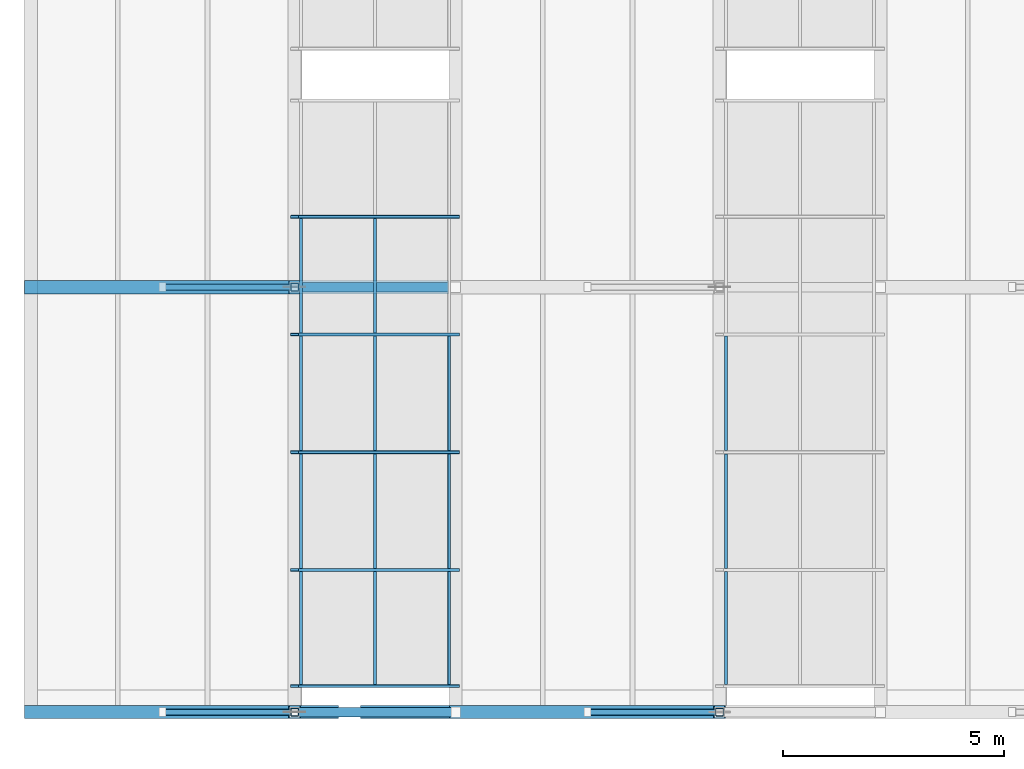
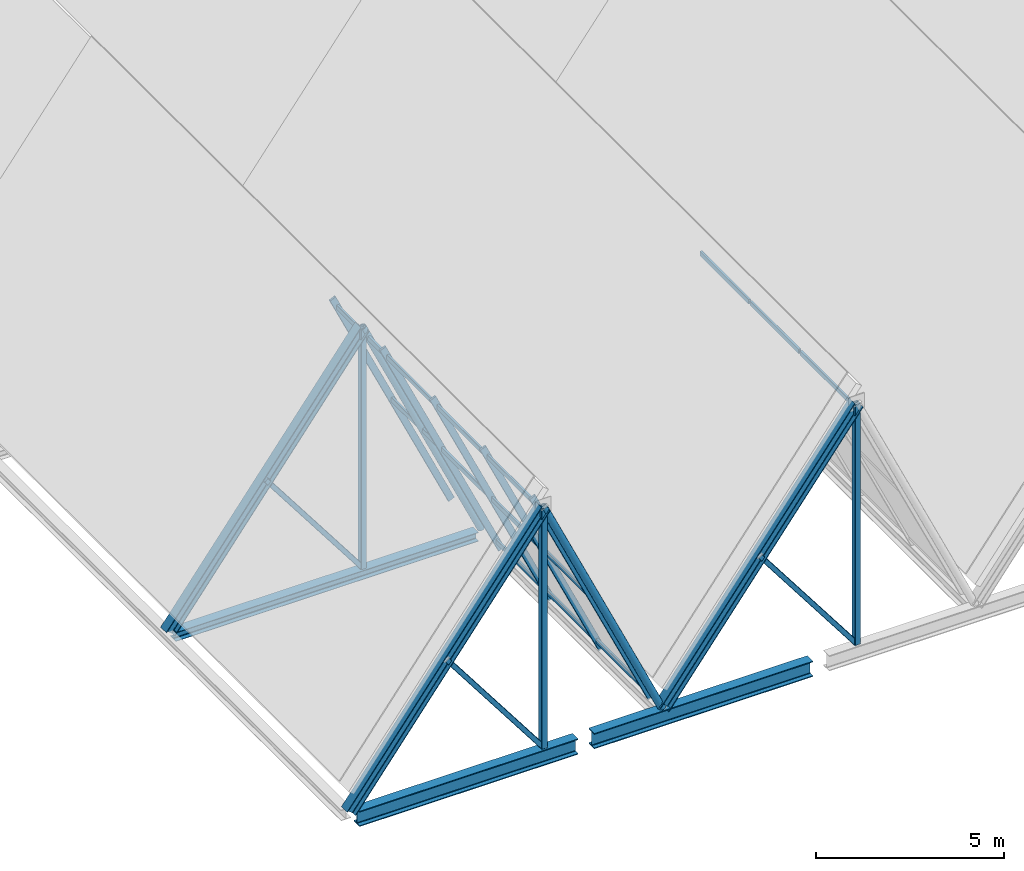
# One storey, part 6 of 99: 31 members, 2 beams, 2 elements without a shape of their own.
"""IFC4 building model written with IfcOpenShell, lengths in metres."""

import ifcopenshell
import ifcopenshell.guid

model = None  # the IFC model being written
_history = None  # IfcOwnerHistory: only IFC2X3 demands one
_inside = {}  # id of a spatial element -> (the spatial element, [elements in it])
_under = {}  # id of a project, library or spatial element -> (it, [spatial elements below it])
_declared = {}  # id of a project -> (the project, [libraries it declares])
_typed = {}  # id of a type object -> (the type object, [elements of that type])
_made_of = {}  # id of a material, layer set ... -> (it, [elements and type objects made of it])


def new_model(schema):
    """Start an empty IFC model of exactly this schema.

    Asked for "IFC4X3", IfcOpenShell would pick the latest addendum, in which some entities
    have other attributes; the version numbers below select the first issue.
    IFC2X3 requires an IfcOwnerHistory on every rooted entity: one is made here for all.
    """
    global model, _history
    if schema == "IFC4X3":
        model = ifcopenshell.file(schema_version=(4, 3, 0, 0))
    else:
        model = ifcopenshell.file(schema=schema)
    _inside.clear()
    _under.clear()
    _declared.clear()
    _typed.clear()
    _made_of.clear()
    _history = None
    if model.schema == "IFC2X3":
        org = make("IfcOrganization", Name="unknown")
        user = make(
            "IfcPersonAndOrganization",
            ThePerson=make("IfcPerson", FamilyName="unknown"),
            TheOrganization=org,
        )
        app = make(
            "IfcApplication",
            ApplicationDeveloper=org,
            Version="unknown",
            ApplicationFullName="unknown",
            ApplicationIdentifier="unknown",
        )
        _history = make(
            "IfcOwnerHistory",
            OwningUser=user,
            OwningApplication=app,
            ChangeAction="ADDED",
            CreationDate=0,
        )
    return model


def make(cls, **values):
    """One entity of the class cls with the attributes given. An attribute that is None is left unset."""
    return model.create_entity(
        cls, **{name: value for name, value in values.items() if value is not None}
    )


def rooted(cls, **values):
    """An entity with a GlobalId (a new one), such as an element, a storey or a relation."""
    return make(cls, GlobalId=ifcopenshell.guid.new(), OwnerHistory=_history, **values)


def si_unit(unit_type, name, prefix=None):
    """IfcSIUnit, for example si_unit("LENGTHUNIT", "METRE", prefix="MILLI")."""
    return make("IfcSIUnit", UnitType=unit_type, Prefix=prefix, Name=name)


def assignment(units):
    """IfcUnitAssignment: the units of a project."""
    return None if units is None else make("IfcUnitAssignment", Units=units)


def point(xyz):
    """IfcCartesianPoint."""
    return None if xyz is None else make("IfcCartesianPoint", Coordinates=xyz)


def direction(xyz):
    """IfcDirection."""
    return None if xyz is None else make("IfcDirection", DirectionRatios=xyz)


def frame(location, z_axis=None, x_axis=None):
    """IfcAxis2Placement3D, a coordinate frame: its origin and axes. An axis left out is left unset."""
    return make(
        "IfcAxis2Placement3D",
        Location=point(location),
        Axis=direction(z_axis),
        RefDirection=direction(x_axis),
    )


def frame_2d(location, x_axis=None):
    """IfcAxis2Placement2D, a coordinate frame in the plane: its origin and x axis."""
    return make(
        "IfcAxis2Placement2D", Location=point(location), RefDirection=direction(x_axis)
    )


def origin():
    """The frame at (0, 0, 0) with its axes left unset."""
    return frame((0.0, 0.0, 0.0))


def origin_2d():
    """The frame at (0, 0) in the plane with its x axis left unset."""
    return frame_2d((0.0, 0.0))


def place(relative_to, where):
    """IfcLocalPlacement: puts the frame where relative to a parent placement (None: the world)."""
    return make(
        "IfcLocalPlacement", PlacementRelTo=relative_to, RelativePlacement=where
    )


def context(
    kind, dimensions, precision=None, world=None, true_north=None, identifier=None
):
    """IfcGeometricRepresentationContext, for example the 3D "Model" context."""
    return make(
        "IfcGeometricRepresentationContext",
        ContextIdentifier=identifier,
        ContextType=kind,
        CoordinateSpaceDimension=dimensions,
        Precision=precision,
        WorldCoordinateSystem=world,
        TrueNorth=true_north,
    )


def subcontext(parent, identifier, kind, view, scale=None):
    """IfcGeometricRepresentationSubContext, for example "Body" below "Model"."""
    return make(
        "IfcGeometricRepresentationSubContext",
        ContextIdentifier=identifier,
        ContextType=kind,
        ParentContext=parent,
        TargetScale=scale,
        TargetView=view,
    )


def project(units=None, contexts=None):
    """IfcProject with its units and contexts."""
    return rooted(
        "IfcProject",
        Name="project",
        RepresentationContexts=contexts,
        UnitsInContext=assignment(units),
    )


def spatial(cls, under=None, at=None, **own):
    """A site, building, storey or space (cls), placed at a placement, below another one or the project."""
    s = rooted(cls, ObjectPlacement=at, **own)
    if under is not None:
        _under.setdefault(under.id(), (under, []))[1].append(s)
    return s


def profile(cls, at=None, kind="AREA", **sizes):
    """A parametric profile (cls). Its sizes go by their IFC names, for example OverallWidth=200.0."""
    return make(cls, ProfileType=kind, Position=at, **sizes)


def hollow_rectangle(**sizes):
    """IfcRectangleHollowProfileDef."""
    return profile("IfcRectangleHollowProfileDef", **sizes)


def hollow_circle(**sizes):
    """IfcCircleHollowProfileDef."""
    return profile("IfcCircleHollowProfileDef", **sizes)


def i_section(**sizes):
    """IfcIShapeProfileDef."""
    return profile("IfcIShapeProfileDef", **sizes)


def extrude(swept, where, along, depth):
    """IfcExtrudedAreaSolid: the profile swept, set in the frame where, extruded along a direction by depth."""
    return make(
        "IfcExtrudedAreaSolid",
        SweptArea=swept,
        Position=where,
        ExtrudedDirection=direction(along),
        Depth=depth,
    )


def shape(context_of_items, identifier, shape_type, items):
    """IfcShapeRepresentation: the items that make up one representation, for example the "Body"."""
    return make(
        "IfcShapeRepresentation",
        ContextOfItems=context_of_items,
        RepresentationIdentifier=identifier,
        RepresentationType=shape_type,
        Items=items,
    )


def material(Name=None, Category=None):
    """IfcMaterial."""
    return make("IfcMaterial", Name=Name, Category=Category)


def material_profile(
    of_material, cross_section, Name=None, Category=None, Priority=None
):
    """IfcMaterialProfile: a cross section and its material."""
    return make(
        "IfcMaterialProfile",
        Name=Name,
        Material=of_material,
        Profile=cross_section,
        Priority=Priority,
        Category=Category,
    )


def profile_set(profiles, Name=None, composite=None):
    """IfcMaterialProfileSet."""
    return make(
        "IfcMaterialProfileSet",
        Name=Name,
        MaterialProfiles=profiles,
        CompositeProfile=composite,
    )


def made_of(thing, what):
    """Note that an element or type object is made of a material, layer set ...; save() writes the relation."""
    if what is not None:
        _made_of.setdefault(what.id(), (what, []))[1].append(thing)
    return thing


def type_object(cls, material=None, **own):
    """A type object (cls), such as IfcWallType, which elements share."""
    return made_of(rooted(cls, **own), material)


def element(
    cls,
    number,
    at=None,
    inside=None,
    cuts=None,
    type_object=None,
    material=None,
    context=None,
    identifier="Body",
    shape_type=None,
    held_by="IfcProductDefinitionShape",
    body=None,
    shapes=None,
    **own,
):
    """One element of the class cls, such as IfcWall. Its Tag is "e" and its number.

    at: its placement. inside: the storey or other place that contains it. cuts: it is an
    opening in that element (IfcRelVoidsElement). A single representation is given by context,
    identifier, shape_type and body (its items); several are given by shapes. held_by: the class
    of the entity that holds the representations. save() writes the other relations.
    """
    e = rooted(cls, Tag="e%d" % number, ObjectPlacement=at, **own)
    if body is not None:
        shapes = [shape(context, identifier, shape_type, body)]
    if shapes is not None:
        e.Representation = make(held_by, Representations=shapes)
    if inside is not None:
        _inside.setdefault(inside.id(), (inside, []))[1].append(e)
    if cuts is not None:
        rooted(
            "IfcRelVoidsElement", RelatingBuildingElement=cuts, RelatedOpeningElement=e
        )
    if type_object is not None:
        _typed.setdefault(type_object.id(), (type_object, []))[1].append(e)
    return made_of(e, material)


def aggregate(whole, parts):
    """IfcRelAggregates: a whole, such as a stair, and the parts it consists of."""
    return rooted("IfcRelAggregates", RelatingObject=whole, RelatedObjects=parts)


def save(model, path):
    """Write the relations noted so far, then the file.

    IfcRelAggregates (storeys below a building ...), IfcRelContainedInSpatialStructure (elements
    in a storey), IfcRelDefinesByType, IfcRelAssociatesMaterial and IfcRelDeclares: one each for
    every whole, place, type object, material and project.
    """
    for whole, parts in _under.values():
        aggregate(whole, parts)
    for where, things in _inside.values():
        rooted(
            "IfcRelContainedInSpatialStructure",
            RelatedElements=things,
            RelatingStructure=where,
        )
    for kind, things in _typed.values():
        rooted("IfcRelDefinesByType", RelatedObjects=things, RelatingType=kind)
    for what, things in _made_of.values():
        rooted("IfcRelAssociatesMaterial", RelatedObjects=things, RelatingMaterial=what)
    for by, libraries in _declared.values():
        rooted("IfcRelDeclares", RelatingContext=by, RelatedDefinitions=libraries)
    model.write(path)


model = new_model("IFC4")

# Units and contexts
model_context = context("Model", 3, precision=1e-05, world=origin(), true_north=direction((0.0, 1.0)))
body_context = subcontext(model_context, "Body", "Model", "MODEL_VIEW")
ifc_project = project(units=[si_unit("LENGTHUNIT", "METRE"), si_unit("AREAUNIT", "SQUARE_METRE"), si_unit("VOLUMEUNIT", "CUBIC_METRE"), si_unit("PLANEANGLEUNIT", "RADIAN"), si_unit("MASSUNIT", "GRAM", prefix="KILO")], contexts=[model_context])

# Site, building, storey
site_placement = place(None, origin())
site = spatial("IfcSite", under=ifc_project, at=site_placement, CompositionType="ELEMENT")
building_placement = place(site_placement, origin())
building = spatial("IfcBuilding", under=site, at=building_placement, Name="Bramveld Media Centre", CompositionType="ELEMENT")
storey_placement = place(building_placement, frame((0.0, 0.0, 13.800048828125)))
storey = spatial("IfcBuildingStorey", under=building, at=storey_placement, Name="L03", CompositionType="ELEMENT", Elevation=13.800048828125)

# Curtain wall, members
ifc_material_1 = material(Name="Thermally broken anodized bronze aluminium unitized curtain wall with solar-control triple glazing", Category="aluminium")
curtain_wall_type = type_object("IfcCurtainWallType", Name="CW-SAW-13300x8606", PredefinedType="NOTDEFINED", material=ifc_material_1)
curtain_wall_1_placement = place(storey_placement, origin())
curtain_wall_1 = element("IfcCurtainWall", 1, at=curtain_wall_1_placement, inside=storey, type_object=curtain_wall_type, Name="V2 sawtooth north-light clerestory B1-S1", PredefinedType="NOTDEFINED")
ifc_material_2 = material(Name="Thermally broken anodized bronze aluminium EN AW-6063 T6 curtain-wall framing", Category="aluminium")
ifc_material_profile_1 = material_profile(ifc_material_2, hollow_rectangle(XDim=0.070068359375, YDim=0.199951171875, WallThickness=0.00439453125, InnerFilletRadius=0.00439453125, OuterFilletRadius=0.009033203125, at=origin_2d()), Name="AL-MULL 70x200")
ifc_profile_set_1 = profile_set([ifc_material_profile_1], Name="Thermally broken anodized bronze aluminium EN AW-6063 T6 curtain-wall framing")
member_type_1 = type_object("IfcMemberType", Name="CW-MULL-SLP", PredefinedType="MULLION", material=ifc_profile_set_1)
member_1_placement = place(storey_placement, frame((9.60009765625, 0.5849609375, -0.02001953125), z_axis=(-0.423956992265, 0.0, 0.90568232218), x_axis=(0.0, -1.0, 0.0)))
member_1 = element("IfcMember", 2, at=member_1_placement, type_object=member_type_1, Name="CW-SA-13386 sloped mullion 1", PredefinedType="MULLION", context=body_context, shape_type="SweptSolid", body=[
    extrude(hollow_rectangle(XDim=0.070068359375, YDim=0.199951171875, WallThickness=0.00439453125, InnerFilletRadius=0.00439453125, OuterFilletRadius=0.009033203125, at=origin_2d()), origin(), (0.0, 0.0, 1.0), 8.5791015625),
])
member_2_placement = place(storey_placement, frame((9.60009765625, 3.2099609375, -0.02001953125), z_axis=(-0.423956992265, 0.0, 0.90568232218), x_axis=(0.0, -1.0, 0.0)))
member_2 = element("IfcMember", 3, at=member_2_placement, type_object=member_type_1, Name="CW-SA-13386 sloped mullion 2", PredefinedType="MULLION", context=body_context, shape_type="SweptSolid", body=[
    extrude(hollow_rectangle(XDim=0.070068359375, YDim=0.199951171875, WallThickness=0.00439453125, InnerFilletRadius=0.00439453125, OuterFilletRadius=0.009033203125, at=origin_2d()), origin(), (0.0, 0.0, 1.0), 8.5791015625),
])
member_3_placement = place(storey_placement, frame((9.60009765625, 5.8701171875, -0.02001953125), z_axis=(-0.423956992265, 0.0, 0.90568232218), x_axis=(0.0, -1.0, 0.0)))
member_3 = element("IfcMember", 4, at=member_3_placement, type_object=member_type_1, Name="CW-SA-13386 sloped mullion 3", PredefinedType="MULLION", context=body_context, shape_type="SweptSolid", body=[
    extrude(hollow_rectangle(XDim=0.070068359375, YDim=0.199951171875, WallThickness=0.00439453125, InnerFilletRadius=0.00439453125, OuterFilletRadius=0.009033203125, at=origin_2d()), origin(), (0.0, 0.0, 1.0), 8.5791015625),
])
member_4_placement = place(storey_placement, frame((9.60009765625, 8.530029296875, -0.02001953125), z_axis=(-0.423956992265, 0.0, 0.90568232218), x_axis=(0.0, -1.0, 0.0)))
member_4 = element("IfcMember", 5, at=member_4_placement, type_object=member_type_1, Name="CW-SA-13386 sloped mullion 4", PredefinedType="MULLION", context=body_context, shape_type="SweptSolid", body=[
    extrude(hollow_rectangle(XDim=0.070068359375, YDim=0.199951171875, WallThickness=0.00439453125, InnerFilletRadius=0.00439453125, OuterFilletRadius=0.009033203125, at=origin_2d()), origin(), (0.0, 0.0, 1.0), 8.5791015625),
])
member_5_placement = place(storey_placement, frame((9.60009765625, 11.18994140625, -0.02001953125), z_axis=(-0.423956992265, 0.0, 0.90568232218), x_axis=(0.0, -1.0, 0.0)))
member_5 = element("IfcMember", 6, at=member_5_placement, type_object=member_type_1, Name="CW-SA-13386 sloped mullion 5", PredefinedType="MULLION", context=body_context, shape_type="SweptSolid", body=[
    extrude(hollow_rectangle(XDim=0.070068359375, YDim=0.199951171875, WallThickness=0.00439453125, InnerFilletRadius=0.00439453125, OuterFilletRadius=0.009033203125, at=origin_2d()), origin(), (0.0, 0.0, 1.0), 8.5791015625),
])
ifc_material_3 = material(Name="Thermally broken anodized bronze aluminium EN AW-6063 T6 curtain-wall framing", Category="aluminium")
ifc_material_profile_2 = material_profile(ifc_material_3, hollow_rectangle(XDim=0.070068359375, YDim=0.14990234375, WallThickness=0.00390625, InnerFilletRadius=0.00390625, OuterFilletRadius=0.008056640625, at=origin_2d()), Name="AL-TRAN 70x150")
ifc_profile_set_2 = profile_set([ifc_material_profile_2], Name="Thermally broken anodized bronze aluminium EN AW-6063 T6 curtain-wall framing")
member_type_2 = type_object("IfcMemberType", Name="CW-TRAN-SLP", PredefinedType="USERDEFINED", material=ifc_profile_set_2)
member_6_placement = place(storey_placement, frame((9.45458984375, 0.6201171875, 0.290771484375), z_axis=(0.0, 1.0, 0.0), x_axis=(-1.0, 0.0, 0.0)))
member_6 = element("IfcMember", 7, at=member_6_placement, type_object=member_type_2, Name="CW-SA-13386 transom 1.1", ObjectType="TRANSOM", PredefinedType="USERDEFINED", context=body_context, shape_type="SweptSolid", body=[
    extrude(hollow_rectangle(XDim=0.070068359375, YDim=0.14990234375, WallThickness=0.00390625, InnerFilletRadius=0.00390625, OuterFilletRadius=0.008056640625, at=origin_2d()), origin(), (0.0, 0.0, 1.0), 2.554931640625),
])
member_7_placement = place(storey_placement, frame((7.781494140625, 0.6201171875, 3.864990234375), z_axis=(0.0, 1.0, 0.0), x_axis=(-1.0, 0.0, 0.0)))
member_7 = element("IfcMember", 8, at=member_7_placement, type_object=member_type_2, Name="CW-SA-13386 transom 1.2", ObjectType="TRANSOM", PredefinedType="USERDEFINED", context=body_context, shape_type="SweptSolid", body=[
    extrude(hollow_rectangle(XDim=0.070068359375, YDim=0.14990234375, WallThickness=0.00390625, InnerFilletRadius=0.00390625, OuterFilletRadius=0.008056640625, at=origin_2d()), origin(), (0.0, 0.0, 1.0), 2.554931640625),
])
member_8_placement = place(storey_placement, frame((6.1083984375, 0.6201171875, 7.439208984375), z_axis=(0.0, 1.0, 0.0), x_axis=(-1.0, 0.0, 0.0)))
member_8 = element("IfcMember", 9, at=member_8_placement, type_object=member_type_2, Name="CW-SA-13386 transom 1.3", ObjectType="TRANSOM", PredefinedType="USERDEFINED", context=body_context, shape_type="SweptSolid", body=[
    extrude(hollow_rectangle(XDim=0.070068359375, YDim=0.14990234375, WallThickness=0.00390625, InnerFilletRadius=0.00390625, OuterFilletRadius=0.008056640625, at=origin_2d()), origin(), (0.0, 0.0, 1.0), 2.554931640625),
])
member_9_placement = place(storey_placement, frame((9.45458984375, 3.2451171875, 0.290771484375), z_axis=(0.0, 1.0, 0.0), x_axis=(-1.0, 0.0, 0.0)))
member_9 = element("IfcMember", 10, at=member_9_placement, type_object=member_type_2, Name="CW-SA-13386 transom 2.1", ObjectType="TRANSOM", PredefinedType="USERDEFINED", context=body_context, shape_type="SweptSolid", body=[
    extrude(hollow_rectangle(XDim=0.070068359375, YDim=0.14990234375, WallThickness=0.00390625, InnerFilletRadius=0.00390625, OuterFilletRadius=0.008056640625, at=origin_2d()), origin(), (0.0, 0.0, 1.0), 2.58984375),
])
member_10_placement = place(storey_placement, frame((7.781494140625, 3.2451171875, 3.864990234375), z_axis=(0.0, 1.0, 0.0), x_axis=(-1.0, 0.0, 0.0)))
member_10 = element("IfcMember", 11, at=member_10_placement, type_object=member_type_2, Name="CW-SA-13386 transom 2.2", ObjectType="TRANSOM", PredefinedType="USERDEFINED", context=body_context, shape_type="SweptSolid", body=[
    extrude(hollow_rectangle(XDim=0.070068359375, YDim=0.14990234375, WallThickness=0.00390625, InnerFilletRadius=0.00390625, OuterFilletRadius=0.008056640625, at=origin_2d()), origin(), (0.0, 0.0, 1.0), 2.58984375),
])
member_11_placement = place(storey_placement, frame((6.1083984375, 3.2451171875, 7.439208984375), z_axis=(0.0, 1.0, 0.0), x_axis=(-1.0, 0.0, 0.0)))
member_11 = element("IfcMember", 12, at=member_11_placement, type_object=member_type_2, Name="CW-SA-13386 transom 2.3", ObjectType="TRANSOM", PredefinedType="USERDEFINED", context=body_context, shape_type="SweptSolid", body=[
    extrude(hollow_rectangle(XDim=0.070068359375, YDim=0.14990234375, WallThickness=0.00390625, InnerFilletRadius=0.00390625, OuterFilletRadius=0.008056640625, at=origin_2d()), origin(), (0.0, 0.0, 1.0), 2.58984375),
])
member_12_placement = place(storey_placement, frame((9.45458984375, 5.905029296875, 0.290771484375), z_axis=(0.0, 1.0, 0.0), x_axis=(-1.0, 0.0, 0.0)))
member_12 = element("IfcMember", 13, at=member_12_placement, type_object=member_type_2, Name="CW-SA-13386 transom 3.1", ObjectType="TRANSOM", PredefinedType="USERDEFINED", context=body_context, shape_type="SweptSolid", body=[
    extrude(hollow_rectangle(XDim=0.070068359375, YDim=0.14990234375, WallThickness=0.00390625, InnerFilletRadius=0.00390625, OuterFilletRadius=0.008056640625, at=origin_2d()), origin(), (0.0, 0.0, 1.0), 2.590087890625),
])
member_13_placement = place(storey_placement, frame((7.781494140625, 5.905029296875, 3.864990234375), z_axis=(0.0, 1.0, 0.0), x_axis=(-1.0, 0.0, 0.0)))
member_13 = element("IfcMember", 14, at=member_13_placement, type_object=member_type_2, Name="CW-SA-13386 transom 3.2", ObjectType="TRANSOM", PredefinedType="USERDEFINED", context=body_context, shape_type="SweptSolid", body=[
    extrude(hollow_rectangle(XDim=0.070068359375, YDim=0.14990234375, WallThickness=0.00390625, InnerFilletRadius=0.00390625, OuterFilletRadius=0.008056640625, at=origin_2d()), origin(), (0.0, 0.0, 1.0), 2.590087890625),
])
member_14_placement = place(storey_placement, frame((6.1083984375, 5.905029296875, 7.439208984375), z_axis=(0.0, 1.0, 0.0), x_axis=(-1.0, 0.0, 0.0)))
member_14 = element("IfcMember", 15, at=member_14_placement, type_object=member_type_2, Name="CW-SA-13386 transom 3.3", ObjectType="TRANSOM", PredefinedType="USERDEFINED", context=body_context, shape_type="SweptSolid", body=[
    extrude(hollow_rectangle(XDim=0.070068359375, YDim=0.14990234375, WallThickness=0.00390625, InnerFilletRadius=0.00390625, OuterFilletRadius=0.008056640625, at=origin_2d()), origin(), (0.0, 0.0, 1.0), 2.590087890625),
])
member_15_placement = place(storey_placement, frame((7.781494140625, 8.56494140625, 3.864990234375), z_axis=(0.0, 1.0, 0.0), x_axis=(-1.0, 0.0, 0.0)))
member_15 = element("IfcMember", 16, at=member_15_placement, type_object=member_type_2, Name="CW-SA-13386 transom 4.2", ObjectType="TRANSOM", PredefinedType="USERDEFINED", context=body_context, shape_type="SweptSolid", body=[
    extrude(hollow_rectangle(XDim=0.070068359375, YDim=0.14990234375, WallThickness=0.00390625, InnerFilletRadius=0.00390625, OuterFilletRadius=0.008056640625, at=origin_2d()), origin(), (0.0, 0.0, 1.0), 2.590087890625),
])
member_16_placement = place(storey_placement, frame((6.1083984375, 8.56494140625, 7.439208984375), z_axis=(0.0, 1.0, 0.0), x_axis=(-1.0, 0.0, 0.0)))
member_16 = element("IfcMember", 17, at=member_16_placement, type_object=member_type_2, Name="CW-SA-13386 transom 4.3", ObjectType="TRANSOM", PredefinedType="USERDEFINED", context=body_context, shape_type="SweptSolid", body=[
    extrude(hollow_rectangle(XDim=0.070068359375, YDim=0.14990234375, WallThickness=0.00390625, InnerFilletRadius=0.00390625, OuterFilletRadius=0.008056640625, at=origin_2d()), origin(), (0.0, 0.0, 1.0), 2.590087890625),
])
aggregate(curtain_wall_1, [member_1, member_2, member_3, member_4, member_5, member_6, member_7, member_8, member_9, member_10, member_11, member_12, member_13, member_14, member_15, member_16])

curtain_wall_2_placement = place(storey_placement, origin())
curtain_wall_2 = element("IfcCurtainWall", 18, at=curtain_wall_2_placement, inside=storey, type_object=curtain_wall_type, Name="V2 sawtooth north-light clerestory B2-S1", PredefinedType="NOTDEFINED")
member_17_placement = place(storey_placement, frame((15.708251953125, 0.6201171875, 7.439208984375), z_axis=(0.0, 1.0, 0.0), x_axis=(-1.0, 0.0, 0.0)))
member_17 = element("IfcMember", 19, at=member_17_placement, type_object=member_type_2, Name="CW-SA-13386 transom 1.3", ObjectType="TRANSOM", PredefinedType="USERDEFINED", context=body_context, shape_type="SweptSolid", body=[
    extrude(hollow_rectangle(XDim=0.070068359375, YDim=0.14990234375, WallThickness=0.00390625, InnerFilletRadius=0.00390625, OuterFilletRadius=0.008056640625, at=origin_2d()), origin(), (0.0, 0.0, 1.0), 2.554931640625),
])
member_18_placement = place(storey_placement, frame((15.708251953125, 3.2451171875, 7.439208984375), z_axis=(0.0, 1.0, 0.0), x_axis=(-1.0, 0.0, 0.0)))
member_18 = element("IfcMember", 20, at=member_18_placement, type_object=member_type_2, Name="CW-SA-13386 transom 2.3", ObjectType="TRANSOM", PredefinedType="USERDEFINED", context=body_context, shape_type="SweptSolid", body=[
    extrude(hollow_rectangle(XDim=0.070068359375, YDim=0.14990234375, WallThickness=0.00390625, InnerFilletRadius=0.00390625, OuterFilletRadius=0.008056640625, at=origin_2d()), origin(), (0.0, 0.0, 1.0), 2.58984375),
])
member_19_placement = place(storey_placement, frame((15.708251953125, 5.905029296875, 7.439208984375), z_axis=(0.0, 1.0, 0.0), x_axis=(-1.0, 0.0, 0.0)))
member_19 = element("IfcMember", 21, at=member_19_placement, type_object=member_type_2, Name="CW-SA-13386 transom 3.3", ObjectType="TRANSOM", PredefinedType="USERDEFINED", context=body_context, shape_type="SweptSolid", body=[
    extrude(hollow_rectangle(XDim=0.070068359375, YDim=0.14990234375, WallThickness=0.00390625, InnerFilletRadius=0.00390625, OuterFilletRadius=0.008056640625, at=origin_2d()), origin(), (0.0, 0.0, 1.0), 2.590087890625),
])
aggregate(curtain_wall_2, [member_17, member_18, member_19])

# Members
ifc_material_4 = material(Name="Steel S355J2H", Category="steel")
ifc_material_profile_3 = material_profile(ifc_material_4, hollow_circle(Radius=0.109619140625, WallThickness=0.012451171875, at=origin_2d()), Name="CHS 219.1x12.5")
ifc_profile_set_3 = profile_set([ifc_material_profile_3], Name="Steel S355J2H")
member_type_3 = type_object("IfcMemberType", Name="MEM-BRACE-CHS219", PredefinedType="BRACE", material=ifc_profile_set_3)
for number, where, z_axis, x_axis, name in (
    (22, (9.60009765625, 0.0, 0.0), (-0.422616785161, 0.0, 0.906308475575), (0.0, -1.0, 0.0), "TRUSS-V2-B01-F1 north-light strut"),
    (23, (9.60009765625, 9.60009765625, 0.0), (-0.422616785161, 0.0, 0.906308475575), (0.0, -1.0, 0.0), "TRUSS-V2-B01-F2 north-light strut"),
):
    element("IfcMember", number, at=place(storey_placement, frame(where, z_axis=z_axis, x_axis=x_axis)), inside=storey, type_object=member_type_3, Name=name, PredefinedType="BRACE", context=body_context, shape_type="SweptSolid", body=[
        extrude(hollow_circle(Radius=0.109619140625, WallThickness=0.012451171875, at=origin_2d()), origin(), (0.0, 0.0, 1.0), 8.6064453125),
    ])
ifc_material_5 = material(Name="Steel S355J2H", Category="steel")
ifc_material_profile_4 = material_profile(ifc_material_5, hollow_rectangle(XDim=0.14990234375, YDim=0.14990234375, WallThickness=0.010009765625, InnerFilletRadius=0.010009765625, OuterFilletRadius=0.02001953125, at=origin_2d()), Name="SHS 150x150x10")
ifc_profile_set_4 = profile_set([ifc_material_profile_4], Name="Steel S355J2H")
member_type_4 = type_object("IfcMemberType", Name="MEM-BRACE-SHS150", PredefinedType="BRACE", material=ifc_profile_set_4)
for number, where, z_axis, x_axis, name in (
    (24, (5.962890625, 0.0, 0.0), (-0.607343034298, 0.0, 0.794439701104), (0.0, -1.0, 0.0), "TRUSS-V2-B01-F1 web diagonal"),
    (25, (5.962890625, 9.60009765625, 0.0), (-0.607343034298, 0.0, 0.794439701104), (0.0, -1.0, 0.0), "TRUSS-V2-B01-F2 web diagonal"),
    (26, (15.562744140625, 0.0, 0.0), (-0.607343034298, 0.0, 0.794439701104), (0.0, -1.0, 0.0), "TRUSS-V2-B02-F1 web diagonal"),
):
    element("IfcMember", number, at=place(storey_placement, frame(where, z_axis=z_axis, x_axis=x_axis)), inside=storey, type_object=member_type_4, Name=name, PredefinedType="BRACE", context=body_context, shape_type="SweptSolid", body=[
        extrude(hollow_rectangle(XDim=0.14990234375, YDim=0.14990234375, WallThickness=0.010009765625, InnerFilletRadius=0.010009765625, OuterFilletRadius=0.02001953125, at=origin_2d()), origin(), (0.0, 0.0, 1.0), 4.908935546875),
    ])
ifc_material_6 = material(Name="Steel S355J2", Category="steel")
ifc_material_profile_5 = material_profile(ifc_material_6, i_section(OverallWidth=0.300048828125, OverallDepth=0.2900390625, WebThickness=0.008544921875, FlangeThickness=0.013916015625, FilletRadius=0.027099609375, at=origin_2d()), Name="HEA 300")
ifc_profile_set_5 = profile_set([ifc_material_profile_5], Name="Steel S355J2")
member_type_5 = type_object("IfcMemberType", Name="MEM-CHORD-HEA300", PredefinedType="CHORD", material=ifc_profile_set_5)
member_20_placement = place(storey_placement, frame((0.159912109375, 9.60009765625, -0.14501953125), z_axis=(1.0, 0.0, 0.0), x_axis=(0.0, 1.0, 0.0)))
element("IfcMember", 27, at=member_20_placement, inside=storey, type_object=member_type_5, Name="TRUSS-V2-B01-F2 bottom tie chord", PredefinedType="CHORD", context=body_context, shape_type="SweptSolid", body=[
    extrude(i_section(OverallWidth=0.300048828125, OverallDepth=0.2900390625, WebThickness=0.008544921875, FlangeThickness=0.013916015625, FilletRadius=0.027099609375, at=origin_2d()), origin(), (0.0, 0.0, 1.0), 9.280029296875),
])
ifc_material_7 = material(Name="Steel S355J2", Category="steel")
ifc_material_profile_6 = material_profile(ifc_material_7, i_section(OverallWidth=0.300048828125, OverallDepth=0.340087890625, WebThickness=0.011962890625, FlangeThickness=0.021484375, FilletRadius=0.027099609375, at=origin_2d()), Name="HEB 340")
ifc_profile_set_6 = profile_set([ifc_material_profile_6], Name="Steel S355J2")
member_type_6 = type_object("IfcMemberType", Name="MEM-CHORD-HEB340", PredefinedType="CHORD", material=ifc_profile_set_6)
for number, where, z_axis, x_axis, name in (
    (28, (0.0, 0.0, 0.0), (0.607331036372, 0.0, 0.794448873282), (0.0, 1.0, 0.0), "TRUSS-V2-B01-F1 top rafter chord"),
    (29, (0.0, 9.60009765625, 0.0), (0.607331036372, 0.0, 0.794448873282), (0.0, 1.0, 0.0), "TRUSS-V2-B01-F2 top rafter chord"),
    (30, (9.60009765625, 0.0, 0.0), (0.607315341765, 0.0, 0.794460871067), (0.0, 1.0, 0.0), "TRUSS-V2-B02-F1 top rafter chord"),
):
    element("IfcMember", number, at=place(storey_placement, frame(where, z_axis=z_axis, x_axis=x_axis)), inside=storey, type_object=member_type_6, Name=name, PredefinedType="CHORD", context=body_context, shape_type="SweptSolid", body=[
        extrude(i_section(OverallWidth=0.300048828125, OverallDepth=0.340087890625, WebThickness=0.011962890625, FlangeThickness=0.021484375, FilletRadius=0.027099609375, at=origin_2d()), origin(), (0.0, 0.0, 1.0), 9.818115234375),
    ])
ifc_material_8 = material(Name="Steel S355J2H", Category="steel")
ifc_material_profile_7 = material_profile(ifc_material_8, hollow_rectangle(XDim=0.179931640625, YDim=0.179931640625, WallThickness=0.010009765625, InnerFilletRadius=0.010009765625, OuterFilletRadius=0.02001953125, at=origin_2d()), Name="SHS 180x180x10")
ifc_profile_set_7 = profile_set([ifc_material_profile_7], Name="Steel S355J2H")
member_type_7 = type_object("IfcMemberType", Name="MEM-POST-SHS180", PredefinedType="POST", material=ifc_profile_set_7)
for number, where, z_axis, x_axis, name in (
    (31, (5.962890625, 0.0, 0.0), (0.0, 0.0, 1.0), (1.0, 0.0, 0.0), "TRUSS-V2-B01-F1 kingpost"),
    (32, (5.962890625, 9.60009765625, 0.0), (0.0, 0.0, 1.0), (1.0, 0.0, 0.0), "TRUSS-V2-B01-F2 kingpost"),
    (33, (15.562744140625, 0.0, 0.0), (0.0, 0.0, 1.0), (1.0, 0.0, 0.0), "TRUSS-V2-B02-F1 kingpost"),
):
    element("IfcMember", number, at=place(storey_placement, frame(where, z_axis=z_axis, x_axis=x_axis)), inside=storey, type_object=member_type_7, Name=name, PredefinedType="POST", context=body_context, shape_type="SweptSolid", body=[
        extrude(hollow_rectangle(XDim=0.179931640625, YDim=0.179931640625, WallThickness=0.010009765625, InnerFilletRadius=0.010009765625, OuterFilletRadius=0.02001953125, at=origin_2d()), origin(), (0.0, 0.0, 1.0), 7.800048828125),
    ])

# Beams
ifc_material_9 = material(Name="Steel S355J2", Category="steel")
ifc_material_profile_8 = material_profile(ifc_material_9, i_section(OverallWidth=0.300048828125, OverallDepth=0.5, WebThickness=0.014404296875, FlangeThickness=0.028076171875, FilletRadius=0.027099609375, at=origin_2d()), Name="HEB 500")
ifc_profile_set_8 = profile_set([ifc_material_profile_8], Name="Steel S355J2")
beam_type = type_object("IfcBeamType", Name="SBM-EXT-HEB-500", PredefinedType="BEAM", material=ifc_profile_set_8)
for number, where, z_axis, x_axis, name in (
    (34, (0.25, 0.0, -0.25), (1.0, 0.0, 0.0), (0.0, 1.0, 0.0), "V2 sawtooth tie girder"),
    (35, (7.449951171875, 0.0, -0.25), (1.0, 0.0, 0.0), (0.0, 1.0, 0.0), "V2 sawtooth tie girder"),
):
    element("IfcBeam", number, at=place(storey_placement, frame(where, z_axis=z_axis, x_axis=x_axis)), inside=storey, type_object=beam_type, Name=name, PredefinedType="BEAM", context=body_context, shape_type="SweptSolid", body=[
        extrude(i_section(OverallWidth=0.300048828125, OverallDepth=0.5, WebThickness=0.014404296875, FlangeThickness=0.028076171875, FilletRadius=0.027099609375, at=origin_2d()), origin(), (0.0, 0.0, 1.0), 6.699951171875),
    ])

save(model, "model.ifc")
